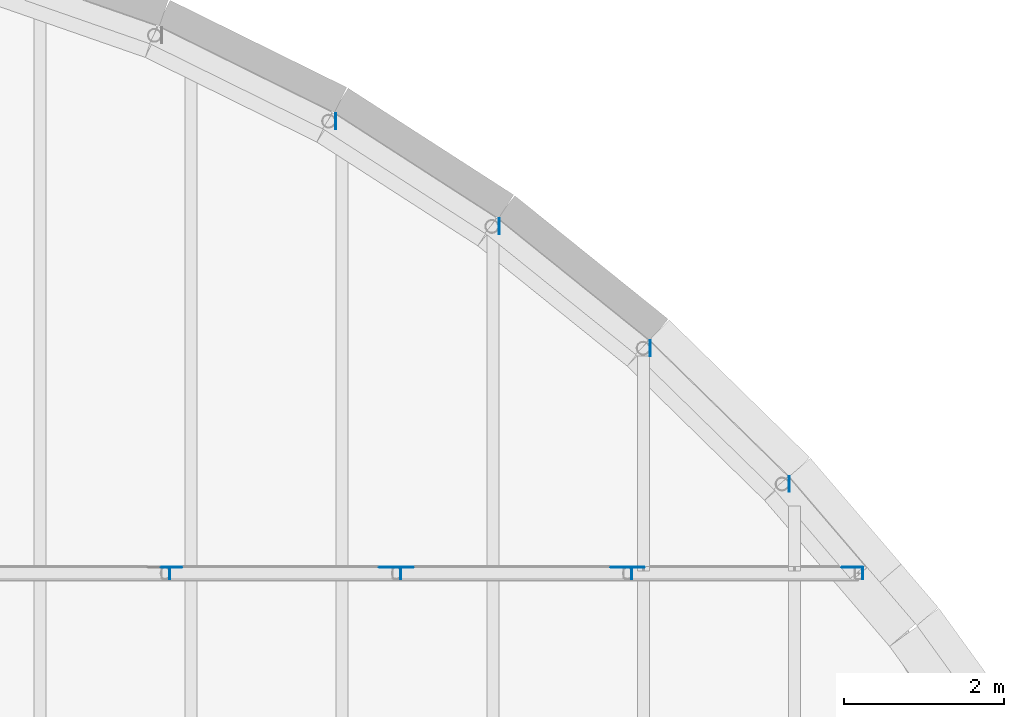
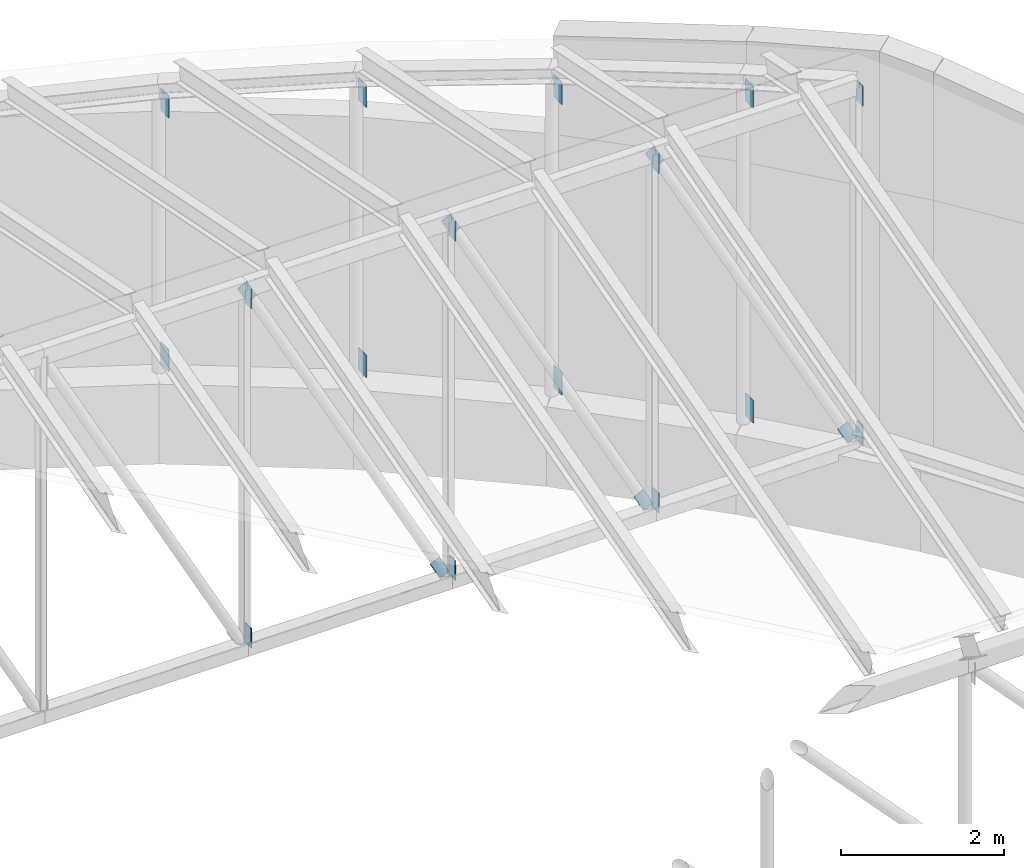
# One storey, part 67 of 68: 22 discrete accessories.
"""IFC4 building model written with IfcOpenShell, lengths in metres."""

from ifc_helpers import new_model, si_unit, direction, frame, origin, origin_2d, place, context, subcontext, project, spatial, rectangle, extrude, material, material_profile, profile_set, type_object, element, save


model = new_model("IFC4")

# Units and contexts
model_context = context("Model", 3, precision=1e-05, world=origin(), true_north=direction((0.0, 1.0)))
body_context = subcontext(model_context, "Body", "Model", "MODEL_VIEW")
ifc_project = project(units=[si_unit("LENGTHUNIT", "METRE"), si_unit("AREAUNIT", "SQUARE_METRE"), si_unit("VOLUMEUNIT", "CUBIC_METRE"), si_unit("PLANEANGLEUNIT", "RADIAN"), si_unit("MASSUNIT", "GRAM", prefix="KILO")], contexts=[model_context])

# Site, building, storey
site_placement = place(None, origin())
site = spatial("IfcSite", under=ifc_project, at=site_placement, CompositionType="ELEMENT")
building_placement = place(site_placement, origin())
building = spatial("IfcBuilding", under=site, at=building_placement, Name="Larchfold Concert Hall", CompositionType="ELEMENT")
storey_placement = place(building_placement, frame((0.0, 0.0, 28.800048828125)))
storey = spatial("IfcBuildingStorey", under=building, at=storey_placement, Name="L06", CompositionType="ELEMENT", Elevation=28.800048828125)

# Discrete accessories
ifc_material_1 = material(Name="Steel S355 galvanised bracket", Category="steel")
ifc_material_profile_1 = material_profile(ifc_material_1, rectangle(XDim=0.011962890625, YDim=0.14990234375, at=origin_2d()))
ifc_profile_set_1 = profile_set([ifc_material_profile_1], Name="Steel S355 galvanised bracket")
discrete_accessory_type_1 = type_object("IfcDiscreteAccessoryType", Name="Gusset plate 12x150", PredefinedType="BRACKET", material=ifc_profile_set_1)
for number, where, z_axis, x_axis, name in (
    (1, (49.89453125, 110.39990234375, 5.39990234375), (0.0, 0.0, -1.0), (1.0, 0.0, 0.0), "Gusset plate GP0523"),
    (2, (49.89453125, 110.39990234375, 0.300048828125), (0.0, 0.0, -1.0), (1.0, 0.0, 0.0), "Gusset plate GP0524"),
    (3, (52.7900390625, 110.39990234375, 5.39990234375), (0.0, 0.0, -1.0), (1.0, 0.0, 0.0), "Gusset plate GP0525"),
    (4, (52.7900390625, 110.39990234375, 0.300048828125), (0.0, 0.0, -1.0), (1.0, 0.0, 0.0), "Gusset plate GP0526"),
    (5, (55.685302734375, 110.39990234375, 5.39990234375), (0.0, 0.0, -1.0), (1.0, 0.0, 0.0), "Gusset plate GP0527"),
    (6, (55.685302734375, 110.39990234375, 0.300048828125), (0.0, 0.0, -1.0), (1.0, 0.0, 0.0), "Gusset plate GP0528"),
    (7, (58.580810546875, 110.39990234375, 5.39990234375), (0.0, 0.0, -1.0), (1.0, 0.0, 0.0), "Gusset plate GP0529"),
    (8, (58.580810546875, 110.39990234375, 0.300048828125), (0.0, 0.0, -1.0), (1.0, 0.0, 0.0), "Gusset plate GP0530"),
    (9, (49.84814453125, 110.475830078125, 5.38232421875), (0.47210846789, 0.0, -0.881540466766), (0.0, 1.0, 0.0), "Gusset plate GP0547"),
    (10, (52.5830078125, 110.475830078125, 0.281982421875), (0.47210846789, 0.0, -0.881540466766), (0.0, 1.0, 0.0), "Gusset plate GP0548"),
    (11, (52.74365234375, 110.475830078125, 5.38232421875), (0.47210846789, 0.0, -0.881540466766), (0.0, 1.0, 0.0), "Gusset plate GP0549"),
    (12, (55.478271484375, 110.475830078125, 0.281982421875), (0.47210846789, 0.0, -0.881540466766), (0.0, 1.0, 0.0), "Gusset plate GP0550"),
    (13, (55.638916015625, 110.475830078125, 5.38232421875), (0.47210846789, 0.0, -0.881540466766), (0.0, 1.0, 0.0), "Gusset plate GP0551"),
    (14, (58.373779296875, 110.475830078125, 0.281982421875), (0.47210846789, 0.0, -0.881540466766), (0.0, 1.0, 0.0), "Gusset plate GP0552"),
):
    element("IfcDiscreteAccessory", number, at=place(storey_placement, frame(where, z_axis=z_axis, x_axis=x_axis)), inside=storey, type_object=discrete_accessory_type_1, Name=name, PredefinedType="BRACKET", context=body_context, shape_type="SweptSolid", body=[
        extrude(rectangle(XDim=0.011962890625, YDim=0.14990234375, at=origin_2d()), origin(), (0.0, 0.0, 1.0), 0.300048828125),
    ])
ifc_material_2 = material(Name="Steel S355 galvanised bracket", Category="steel")
ifc_material_profile_2 = material_profile(ifc_material_2, rectangle(XDim=0.011962890625, YDim=0.199951171875, at=origin_2d()))
ifc_profile_set_2 = profile_set([ifc_material_profile_2], Name="Steel S355 galvanised bracket")
discrete_accessory_type_2 = type_object("IfcDiscreteAccessoryType", Name="Gusset plate 12x200", PredefinedType="BRACKET", material=ifc_profile_set_2)
for number, where, z_axis, x_axis, name in (
    (15, (57.657470703125, 111.517822265625, 0.0), (0.0, 0.0, 1.0), (1.0, 0.0, 0.0), "Gusset plate GP0629"),
    (16, (57.657470703125, 111.517822265625, 4.72119140625), (0.0, 0.0, 1.0), (1.0, 0.0, 0.0), "Gusset plate GP0630"),
    (17, (55.917724609375, 113.218994140625, 0.0), (0.0, 0.0, 1.0), (1.0, 0.0, 0.0), "Gusset plate GP0631"),
    (18, (55.917724609375, 113.218994140625, 4.36083984375), (0.0, 0.0, 1.0), (1.0, 0.0, 0.0), "Gusset plate GP0632"),
    (19, (54.022216796875, 114.74462890625, 0.0), (0.0, 0.0, 1.0), (1.0, 0.0, 0.0), "Gusset plate GP0633"),
    (20, (54.022216796875, 114.74462890625, 4.055908203125), (0.0, 0.0, 1.0), (1.0, 0.0, 0.0), "Gusset plate GP0634"),
    (21, (51.977294921875, 116.062744140625, 0.0), (0.0, 0.0, 1.0), (1.0, 0.0, 0.0), "Gusset plate GP0635"),
    (22, (51.977294921875, 116.062744140625, 3.812255859375), (0.0, 0.0, 1.0), (1.0, 0.0, 0.0), "Gusset plate GP0636"),
):
    element("IfcDiscreteAccessory", number, at=place(storey_placement, frame(where, z_axis=z_axis, x_axis=x_axis)), inside=storey, type_object=discrete_accessory_type_2, Name=name, PredefinedType="BRACKET", context=body_context, shape_type="SweptSolid", body=[
        extrude(rectangle(XDim=0.011962890625, YDim=0.199951171875, at=origin_2d()), origin(), (0.0, 0.0, 1.0), 0.336669921875),
    ])

save(model, "model.ifc")
